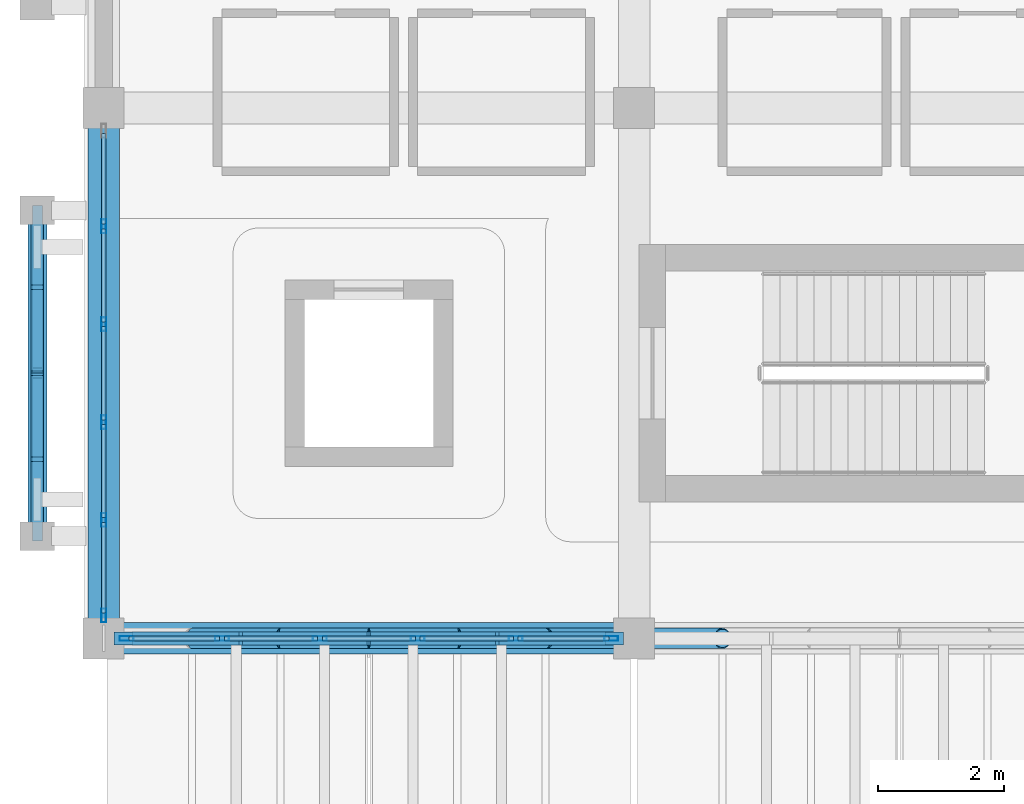
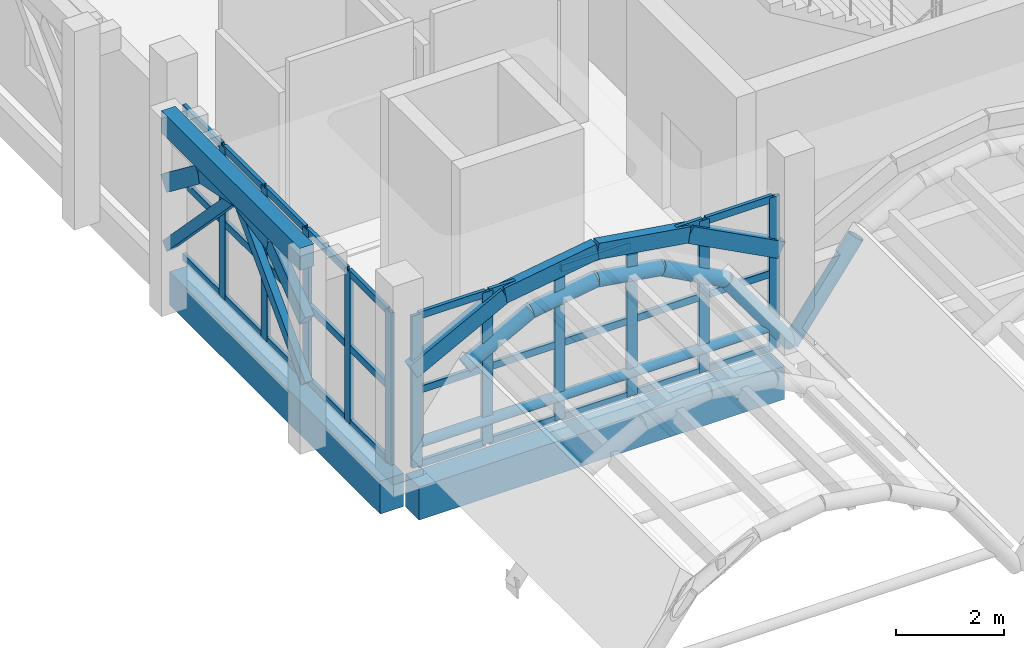
# One storey, part 2 of 22: 51 members, 10 beams, 2 elements without a shape of their own.
"""IFC4 building model written with IfcOpenShell, lengths in metres."""

from ifc_helpers import new_model, si_unit, direction, frame, origin, origin_2d, place, context, subcontext, project, spatial, rectangle, hollow_rectangle, hollow_circle, extrude, material, layer, layer_set, material_profile, profile_set, type_object, element, aggregate, save


model = new_model("IFC4")

# Units and contexts
model_context = context("Model", 3, precision=1e-05, world=origin(), true_north=direction((0.0, 1.0)))
body_context = subcontext(model_context, "Body", "Model", "MODEL_VIEW")
ifc_project = project(units=[si_unit("LENGTHUNIT", "METRE"), si_unit("AREAUNIT", "SQUARE_METRE"), si_unit("VOLUMEUNIT", "CUBIC_METRE"), si_unit("PLANEANGLEUNIT", "RADIAN"), si_unit("MASSUNIT", "GRAM", prefix="KILO")], contexts=[model_context])

# Site, building, storey
site_placement = place(None, origin())
site = spatial("IfcSite", under=ifc_project, at=site_placement, CompositionType="ELEMENT")
building_placement = place(site_placement, origin())
building = spatial("IfcBuilding", under=site, at=building_placement, Name="Xazarin Passage Department Store", CompositionType="ELEMENT")
storey_placement = place(building_placement, frame((0.0, 0.0, 27.89990234375)))
storey = spatial("IfcBuildingStorey", under=building, at=storey_placement, Name="L06", CompositionType="ELEMENT", Elevation=27.89990234375)

# Curtain wall, members
ifc_material_1 = material(Name="Bronze anodised aluminium", Category="aluminium")
ifc_layer = layer(ifc_material_1, 0.199951171875)
ifc_layer_set = layer_set([ifc_layer], Name="Bronze anodised aluminium")
curtain_wall_type = type_object("IfcCurtainWallType", Name="ARC-CW-VIT2", PredefinedType="NOTDEFINED", material=ifc_layer_set)
curtain_wall_1_placement = place(storey_placement, origin())
curtain_wall_1 = element("IfcCurtainWall", 1, at=curtain_wall_1_placement, inside=storey, type_object=curtain_wall_type, Name="L06 V1 Curtain Wall 085", PredefinedType="NOTDEFINED")
ifc_material_profile_1 = material_profile(ifc_material_1, hollow_rectangle(XDim=0.074951171875, YDim=0.219970703125, WallThickness=0.0048828125, at=origin_2d()), Name="ALU 75x220")
ifc_profile_set_1 = profile_set([ifc_material_profile_1], Name="Bronze anodised aluminium")
member_type_1 = type_object("IfcMemberType", Name="ARC-CWM-75x220", PredefinedType="MULLION", material=ifc_profile_set_1)
member_1_placement = place(storey_placement, frame((0.362548828125, 76.39990234375, 0.0), z_axis=(0.0, 0.0, 1.0), x_axis=(0.0, 1.0, 0.0)))
member_1 = element("IfcMember", 2, at=member_1_placement, type_object=member_type_1, Name="CW2 mullion 1", PredefinedType="MULLION", context=body_context, shape_type="SweptSolid", body=[
    extrude(hollow_rectangle(XDim=0.074951171875, YDim=0.219970703125, WallThickness=0.0048828125, at=origin_2d()), origin(), (0.0, 0.0, 1.0), 3.4501953125),
])
member_2_placement = place(storey_placement, frame((1.875, 76.39990234375, 0.0), z_axis=(0.0, 0.0, 1.0), x_axis=(0.0, 1.0, 0.0)))
member_2 = element("IfcMember", 3, at=member_2_placement, type_object=member_type_1, Name="CW2 mullion 2", PredefinedType="MULLION", context=body_context, shape_type="SweptSolid", body=[
    extrude(hollow_rectangle(XDim=0.074951171875, YDim=0.219970703125, WallThickness=0.0048828125, at=origin_2d()), origin(), (0.0, 0.0, 1.0), 3.4501953125),
])
member_3_placement = place(storey_placement, frame((3.425048828125, 76.39990234375, 0.0), z_axis=(0.0, 0.0, 1.0), x_axis=(0.0, 1.0, 0.0)))
member_3 = element("IfcMember", 4, at=member_3_placement, type_object=member_type_1, Name="CW2 mullion 3", PredefinedType="MULLION", context=body_context, shape_type="SweptSolid", body=[
    extrude(hollow_rectangle(XDim=0.074951171875, YDim=0.219970703125, WallThickness=0.0048828125, at=origin_2d()), origin(), (0.0, 0.0, 1.0), 3.4501953125),
])
member_4_placement = place(storey_placement, frame((4.97509765625, 76.39990234375, 0.0), z_axis=(0.0, 0.0, 1.0), x_axis=(0.0, 1.0, 0.0)))
member_4 = element("IfcMember", 5, at=member_4_placement, type_object=member_type_1, Name="CW2 mullion 4", PredefinedType="MULLION", context=body_context, shape_type="SweptSolid", body=[
    extrude(hollow_rectangle(XDim=0.074951171875, YDim=0.219970703125, WallThickness=0.0048828125, at=origin_2d()), origin(), (0.0, 0.0, 1.0), 3.4501953125),
])
member_5_placement = place(storey_placement, frame((6.52490234375, 76.39990234375, 0.0), z_axis=(0.0, 0.0, 1.0), x_axis=(0.0, 1.0, 0.0)))
member_5 = element("IfcMember", 6, at=member_5_placement, type_object=member_type_1, Name="CW2 mullion 5", PredefinedType="MULLION", context=body_context, shape_type="SweptSolid", body=[
    extrude(hollow_rectangle(XDim=0.074951171875, YDim=0.219970703125, WallThickness=0.0048828125, at=origin_2d()), origin(), (0.0, 0.0, 1.0), 3.4501953125),
])
member_6_placement = place(storey_placement, frame((8.03759765625, 76.39990234375, 0.0), z_axis=(0.0, 0.0, 1.0), x_axis=(0.0, 1.0, 0.0)))
member_6 = element("IfcMember", 7, at=member_6_placement, type_object=member_type_1, Name="CW2 mullion 6", PredefinedType="MULLION", context=body_context, shape_type="SweptSolid", body=[
    extrude(hollow_rectangle(XDim=0.074951171875, YDim=0.219970703125, WallThickness=0.0048828125, at=origin_2d()), origin(), (0.0, 0.0, 1.0), 3.4501953125),
])

curtain_wall_2_placement = place(storey_placement, origin())
curtain_wall_2 = element("IfcCurtainWall", 8, at=curtain_wall_2_placement, inside=storey, type_object=curtain_wall_type, Name="L06 V1 Curtain Wall 089", PredefinedType="NOTDEFINED")
member_7_placement = place(storey_placement, frame((0.0, 76.762451171875, 0.0), z_axis=(0.0, 0.0, 1.0), x_axis=(-1.0, 0.0, 0.0)))
member_7 = element("IfcMember", 9, at=member_7_placement, type_object=member_type_1, Name="CW2 mullion 1", PredefinedType="MULLION", context=body_context, shape_type="SweptSolid", body=[
    extrude(hollow_rectangle(XDim=0.074951171875, YDim=0.219970703125, WallThickness=0.0048828125, at=origin_2d()), origin(), (0.0, 0.0, 1.0), 3.4501953125),
])
member_8_placement = place(storey_placement, frame((0.0, 78.27490234375, 0.0), z_axis=(0.0, 0.0, 1.0), x_axis=(-1.0, 0.0, 0.0)))
member_8 = element("IfcMember", 10, at=member_8_placement, type_object=member_type_1, Name="CW2 mullion 2", PredefinedType="MULLION", context=body_context, shape_type="SweptSolid", body=[
    extrude(hollow_rectangle(XDim=0.074951171875, YDim=0.219970703125, WallThickness=0.0048828125, at=origin_2d()), origin(), (0.0, 0.0, 1.0), 3.4501953125),
])
member_9_placement = place(storey_placement, frame((0.0, 79.824951171875, 0.0), z_axis=(0.0, 0.0, 1.0), x_axis=(-1.0, 0.0, 0.0)))
member_9 = element("IfcMember", 11, at=member_9_placement, type_object=member_type_1, Name="CW2 mullion 3", PredefinedType="MULLION", context=body_context, shape_type="SweptSolid", body=[
    extrude(hollow_rectangle(XDim=0.074951171875, YDim=0.219970703125, WallThickness=0.0048828125, at=origin_2d()), origin(), (0.0, 0.0, 1.0), 3.4501953125),
])
member_10_placement = place(storey_placement, frame((0.0, 81.375, 0.0), z_axis=(0.0, 0.0, 1.0), x_axis=(-1.0, 0.0, 0.0)))
member_10 = element("IfcMember", 12, at=member_10_placement, type_object=member_type_1, Name="CW2 mullion 4", PredefinedType="MULLION", context=body_context, shape_type="SweptSolid", body=[
    extrude(hollow_rectangle(XDim=0.074951171875, YDim=0.219970703125, WallThickness=0.0048828125, at=origin_2d()), origin(), (0.0, 0.0, 1.0), 3.4501953125),
])
member_11_placement = place(storey_placement, frame((0.0, 82.925048828125, 0.0), z_axis=(0.0, 0.0, 1.0), x_axis=(-1.0, 0.0, 0.0)))
member_11 = element("IfcMember", 13, at=member_11_placement, type_object=member_type_1, Name="CW2 mullion 5", PredefinedType="MULLION", context=body_context, shape_type="SweptSolid", body=[
    extrude(hollow_rectangle(XDim=0.074951171875, YDim=0.219970703125, WallThickness=0.0048828125, at=origin_2d()), origin(), (0.0, 0.0, 1.0), 3.4501953125),
])

# Member
ifc_material_profile_2 = material_profile(ifc_material_1, hollow_rectangle(XDim=0.074951171875, YDim=0.159912109375, WallThickness=0.00439453125, at=origin_2d()), Name="ALU 75x160")
ifc_profile_set_2 = profile_set([ifc_material_profile_2], Name="Bronze anodised aluminium")
member_type_2 = type_object("IfcMemberType", Name="ARC-CWT-75x160", PredefinedType="USERDEFINED", material=ifc_profile_set_2)
member_12_placement = place(storey_placement, frame((0.39990234375, 76.39990234375, 0.03759765625), z_axis=(1.0, 0.0, 0.0), x_axis=(0.0, 1.0, 0.0)))
member_12 = element("IfcMember", 14, at=member_12_placement, type_object=member_type_2, Name="CW2 transom 1.1", ObjectType="TRANSOM", PredefinedType="USERDEFINED", context=body_context, shape_type="SweptSolid", body=[
    extrude(hollow_rectangle(XDim=0.074951171875, YDim=0.159912109375, WallThickness=0.00439453125, at=origin_2d()), origin(), (0.0, 0.0, 1.0), 1.4375),
])

member_13_placement = place(storey_placement, frame((0.39990234375, 76.39990234375, 1.72509765625), z_axis=(1.0, 0.0, 0.0), x_axis=(0.0, 1.0, 0.0)))
member_13 = element("IfcMember", 15, at=member_13_placement, type_object=member_type_2, Name="CW2 transom 1.2", ObjectType="TRANSOM", PredefinedType="USERDEFINED", context=body_context, shape_type="SweptSolid", body=[
    extrude(hollow_rectangle(XDim=0.074951171875, YDim=0.159912109375, WallThickness=0.00439453125, at=origin_2d()), origin(), (0.0, 0.0, 1.0), 1.4375),
])

member_14_placement = place(storey_placement, frame((0.39990234375, 76.39990234375, 3.41259765625), z_axis=(1.0, 0.0, 0.0), x_axis=(0.0, 1.0, 0.0)))
member_14 = element("IfcMember", 16, at=member_14_placement, type_object=member_type_2, Name="CW2 transom 1.3", ObjectType="TRANSOM", PredefinedType="USERDEFINED", context=body_context, shape_type="SweptSolid", body=[
    extrude(hollow_rectangle(XDim=0.074951171875, YDim=0.159912109375, WallThickness=0.00439453125, at=origin_2d()), origin(), (0.0, 0.0, 1.0), 1.4375),
])

member_15_placement = place(storey_placement, frame((1.91259765625, 76.39990234375, 0.03759765625), z_axis=(1.0, 0.0, 0.0), x_axis=(0.0, 1.0, 0.0)))
member_15 = element("IfcMember", 17, at=member_15_placement, type_object=member_type_2, Name="CW2 transom 2.1", ObjectType="TRANSOM", PredefinedType="USERDEFINED", context=body_context, shape_type="SweptSolid", body=[
    extrude(hollow_rectangle(XDim=0.074951171875, YDim=0.159912109375, WallThickness=0.00439453125, at=origin_2d()), origin(), (0.0, 0.0, 1.0), 1.474853515625),
])

member_16_placement = place(storey_placement, frame((1.91259765625, 76.39990234375, 1.72509765625), z_axis=(1.0, 0.0, 0.0), x_axis=(0.0, 1.0, 0.0)))
member_16 = element("IfcMember", 18, at=member_16_placement, type_object=member_type_2, Name="CW2 transom 2.2", ObjectType="TRANSOM", PredefinedType="USERDEFINED", context=body_context, shape_type="SweptSolid", body=[
    extrude(hollow_rectangle(XDim=0.074951171875, YDim=0.159912109375, WallThickness=0.00439453125, at=origin_2d()), origin(), (0.0, 0.0, 1.0), 1.474853515625),
])

member_17_placement = place(storey_placement, frame((1.91259765625, 76.39990234375, 3.41259765625), z_axis=(1.0, 0.0, 0.0), x_axis=(0.0, 1.0, 0.0)))
member_17 = element("IfcMember", 19, at=member_17_placement, type_object=member_type_2, Name="CW2 transom 2.3", ObjectType="TRANSOM", PredefinedType="USERDEFINED", context=body_context, shape_type="SweptSolid", body=[
    extrude(hollow_rectangle(XDim=0.074951171875, YDim=0.159912109375, WallThickness=0.00439453125, at=origin_2d()), origin(), (0.0, 0.0, 1.0), 1.474853515625),
])

member_18_placement = place(storey_placement, frame((3.46240234375, 76.39990234375, 0.03759765625), z_axis=(1.0, 0.0, 0.0), x_axis=(0.0, 1.0, 0.0)))
member_18 = element("IfcMember", 20, at=member_18_placement, type_object=member_type_2, Name="CW2 transom 3.1", ObjectType="TRANSOM", PredefinedType="USERDEFINED", context=body_context, shape_type="SweptSolid", body=[
    extrude(hollow_rectangle(XDim=0.074951171875, YDim=0.159912109375, WallThickness=0.00439453125, at=origin_2d()), origin(), (0.0, 0.0, 1.0), 1.47509765625),
])

member_19_placement = place(storey_placement, frame((3.46240234375, 76.39990234375, 1.72509765625), z_axis=(1.0, 0.0, 0.0), x_axis=(0.0, 1.0, 0.0)))
member_19 = element("IfcMember", 21, at=member_19_placement, type_object=member_type_2, Name="CW2 transom 3.2", ObjectType="TRANSOM", PredefinedType="USERDEFINED", context=body_context, shape_type="SweptSolid", body=[
    extrude(hollow_rectangle(XDim=0.074951171875, YDim=0.159912109375, WallThickness=0.00439453125, at=origin_2d()), origin(), (0.0, 0.0, 1.0), 1.47509765625),
])

member_20_placement = place(storey_placement, frame((3.46240234375, 76.39990234375, 3.41259765625), z_axis=(1.0, 0.0, 0.0), x_axis=(0.0, 1.0, 0.0)))
member_20 = element("IfcMember", 22, at=member_20_placement, type_object=member_type_2, Name="CW2 transom 3.3", ObjectType="TRANSOM", PredefinedType="USERDEFINED", context=body_context, shape_type="SweptSolid", body=[
    extrude(hollow_rectangle(XDim=0.074951171875, YDim=0.159912109375, WallThickness=0.00439453125, at=origin_2d()), origin(), (0.0, 0.0, 1.0), 1.47509765625),
])

member_21_placement = place(storey_placement, frame((5.012451171875, 76.39990234375, 0.03759765625), z_axis=(1.0, 0.0, 0.0), x_axis=(0.0, 1.0, 0.0)))
member_21 = element("IfcMember", 23, at=member_21_placement, type_object=member_type_2, Name="CW2 transom 4.1", ObjectType="TRANSOM", PredefinedType="USERDEFINED", context=body_context, shape_type="SweptSolid", body=[
    extrude(hollow_rectangle(XDim=0.074951171875, YDim=0.159912109375, WallThickness=0.00439453125, at=origin_2d()), origin(), (0.0, 0.0, 1.0), 1.47509765625),
])

member_22_placement = place(storey_placement, frame((5.012451171875, 76.39990234375, 1.72509765625), z_axis=(1.0, 0.0, 0.0), x_axis=(0.0, 1.0, 0.0)))
member_22 = element("IfcMember", 24, at=member_22_placement, type_object=member_type_2, Name="CW2 transom 4.2", ObjectType="TRANSOM", PredefinedType="USERDEFINED", context=body_context, shape_type="SweptSolid", body=[
    extrude(hollow_rectangle(XDim=0.074951171875, YDim=0.159912109375, WallThickness=0.00439453125, at=origin_2d()), origin(), (0.0, 0.0, 1.0), 1.47509765625),
])

member_23_placement = place(storey_placement, frame((5.012451171875, 76.39990234375, 3.41259765625), z_axis=(1.0, 0.0, 0.0), x_axis=(0.0, 1.0, 0.0)))
member_23 = element("IfcMember", 25, at=member_23_placement, type_object=member_type_2, Name="CW2 transom 4.3", ObjectType="TRANSOM", PredefinedType="USERDEFINED", context=body_context, shape_type="SweptSolid", body=[
    extrude(hollow_rectangle(XDim=0.074951171875, YDim=0.159912109375, WallThickness=0.00439453125, at=origin_2d()), origin(), (0.0, 0.0, 1.0), 1.47509765625),
])

member_24_placement = place(storey_placement, frame((6.5625, 76.39990234375, 0.03759765625), z_axis=(1.0, 0.0, 0.0), x_axis=(0.0, 1.0, 0.0)))
member_24 = element("IfcMember", 26, at=member_24_placement, type_object=member_type_2, Name="CW2 transom 5.1", ObjectType="TRANSOM", PredefinedType="USERDEFINED", context=body_context, shape_type="SweptSolid", body=[
    extrude(hollow_rectangle(XDim=0.074951171875, YDim=0.159912109375, WallThickness=0.00439453125, at=origin_2d()), origin(), (0.0, 0.0, 1.0), 1.4375),
])

member_25_placement = place(storey_placement, frame((6.5625, 76.39990234375, 1.72509765625), z_axis=(1.0, 0.0, 0.0), x_axis=(0.0, 1.0, 0.0)))
member_25 = element("IfcMember", 27, at=member_25_placement, type_object=member_type_2, Name="CW2 transom 5.2", ObjectType="TRANSOM", PredefinedType="USERDEFINED", context=body_context, shape_type="SweptSolid", body=[
    extrude(hollow_rectangle(XDim=0.074951171875, YDim=0.159912109375, WallThickness=0.00439453125, at=origin_2d()), origin(), (0.0, 0.0, 1.0), 1.4375),
])

member_26_placement = place(storey_placement, frame((6.5625, 76.39990234375, 3.41259765625), z_axis=(1.0, 0.0, 0.0), x_axis=(0.0, 1.0, 0.0)))
member_26 = element("IfcMember", 28, at=member_26_placement, type_object=member_type_2, Name="CW2 transom 5.3", ObjectType="TRANSOM", PredefinedType="USERDEFINED", context=body_context, shape_type="SweptSolid", body=[
    extrude(hollow_rectangle(XDim=0.074951171875, YDim=0.159912109375, WallThickness=0.00439453125, at=origin_2d()), origin(), (0.0, 0.0, 1.0), 1.4375),
])

aggregate(curtain_wall_1, [member_1, member_2, member_3, member_4, member_5, member_6, member_12, member_13, member_14, member_15, member_16, member_17, member_18, member_19, member_20, member_21, member_22, member_23, member_24, member_25, member_26])

member_27_placement = place(storey_placement, frame((0.0, 76.800048828125, 0.03759765625), z_axis=(0.0, 1.0, 0.0), x_axis=(-1.0, 0.0, 0.0)))
member_27 = element("IfcMember", 29, at=member_27_placement, type_object=member_type_2, Name="CW2 transom 1.1", ObjectType="TRANSOM", PredefinedType="USERDEFINED", context=body_context, shape_type="SweptSolid", body=[
    extrude(hollow_rectangle(XDim=0.074951171875, YDim=0.159912109375, WallThickness=0.00439453125, at=origin_2d()), origin(), (0.0, 0.0, 1.0), 1.4375),
])

member_28_placement = place(storey_placement, frame((0.0, 76.800048828125, 1.72509765625), z_axis=(0.0, 1.0, 0.0), x_axis=(-1.0, 0.0, 0.0)))
member_28 = element("IfcMember", 30, at=member_28_placement, type_object=member_type_2, Name="CW2 transom 1.2", ObjectType="TRANSOM", PredefinedType="USERDEFINED", context=body_context, shape_type="SweptSolid", body=[
    extrude(hollow_rectangle(XDim=0.074951171875, YDim=0.159912109375, WallThickness=0.00439453125, at=origin_2d()), origin(), (0.0, 0.0, 1.0), 1.4375),
])

member_29_placement = place(storey_placement, frame((0.0, 76.800048828125, 3.41259765625), z_axis=(0.0, 1.0, 0.0), x_axis=(-1.0, 0.0, 0.0)))
member_29 = element("IfcMember", 31, at=member_29_placement, type_object=member_type_2, Name="CW2 transom 1.3", ObjectType="TRANSOM", PredefinedType="USERDEFINED", context=body_context, shape_type="SweptSolid", body=[
    extrude(hollow_rectangle(XDim=0.074951171875, YDim=0.159912109375, WallThickness=0.00439453125, at=origin_2d()), origin(), (0.0, 0.0, 1.0), 1.4375),
])

member_30_placement = place(storey_placement, frame((0.0, 78.3125, 0.03759765625), z_axis=(0.0, 1.0, 0.0), x_axis=(-1.0, 0.0, 0.0)))
member_30 = element("IfcMember", 32, at=member_30_placement, type_object=member_type_2, Name="CW2 transom 2.1", ObjectType="TRANSOM", PredefinedType="USERDEFINED", context=body_context, shape_type="SweptSolid", body=[
    extrude(hollow_rectangle(XDim=0.074951171875, YDim=0.159912109375, WallThickness=0.00439453125, at=origin_2d()), origin(), (0.0, 0.0, 1.0), 1.47509765625),
])

member_31_placement = place(storey_placement, frame((0.0, 78.3125, 1.72509765625), z_axis=(0.0, 1.0, 0.0), x_axis=(-1.0, 0.0, 0.0)))
member_31 = element("IfcMember", 33, at=member_31_placement, type_object=member_type_2, Name="CW2 transom 2.2", ObjectType="TRANSOM", PredefinedType="USERDEFINED", context=body_context, shape_type="SweptSolid", body=[
    extrude(hollow_rectangle(XDim=0.074951171875, YDim=0.159912109375, WallThickness=0.00439453125, at=origin_2d()), origin(), (0.0, 0.0, 1.0), 1.47509765625),
])

member_32_placement = place(storey_placement, frame((0.0, 78.3125, 3.41259765625), z_axis=(0.0, 1.0, 0.0), x_axis=(-1.0, 0.0, 0.0)))
member_32 = element("IfcMember", 34, at=member_32_placement, type_object=member_type_2, Name="CW2 transom 2.3", ObjectType="TRANSOM", PredefinedType="USERDEFINED", context=body_context, shape_type="SweptSolid", body=[
    extrude(hollow_rectangle(XDim=0.074951171875, YDim=0.159912109375, WallThickness=0.00439453125, at=origin_2d()), origin(), (0.0, 0.0, 1.0), 1.47509765625),
])

member_33_placement = place(storey_placement, frame((0.0, 79.862548828125, 0.03759765625), z_axis=(0.0, 1.0, 0.0), x_axis=(-1.0, 0.0, 0.0)))
member_33 = element("IfcMember", 35, at=member_33_placement, type_object=member_type_2, Name="CW2 transom 3.1", ObjectType="TRANSOM", PredefinedType="USERDEFINED", context=body_context, shape_type="SweptSolid", body=[
    extrude(hollow_rectangle(XDim=0.074951171875, YDim=0.159912109375, WallThickness=0.00439453125, at=origin_2d()), origin(), (0.0, 0.0, 1.0), 1.474853515625),
])

member_34_placement = place(storey_placement, frame((0.0, 79.862548828125, 1.72509765625), z_axis=(0.0, 1.0, 0.0), x_axis=(-1.0, 0.0, 0.0)))
member_34 = element("IfcMember", 36, at=member_34_placement, type_object=member_type_2, Name="CW2 transom 3.2", ObjectType="TRANSOM", PredefinedType="USERDEFINED", context=body_context, shape_type="SweptSolid", body=[
    extrude(hollow_rectangle(XDim=0.074951171875, YDim=0.159912109375, WallThickness=0.00439453125, at=origin_2d()), origin(), (0.0, 0.0, 1.0), 1.474853515625),
])

member_35_placement = place(storey_placement, frame((0.0, 79.862548828125, 3.41259765625), z_axis=(0.0, 1.0, 0.0), x_axis=(-1.0, 0.0, 0.0)))
member_35 = element("IfcMember", 37, at=member_35_placement, type_object=member_type_2, Name="CW2 transom 3.3", ObjectType="TRANSOM", PredefinedType="USERDEFINED", context=body_context, shape_type="SweptSolid", body=[
    extrude(hollow_rectangle(XDim=0.074951171875, YDim=0.159912109375, WallThickness=0.00439453125, at=origin_2d()), origin(), (0.0, 0.0, 1.0), 1.474853515625),
])

member_36_placement = place(storey_placement, frame((0.0, 81.41259765625, 0.03759765625), z_axis=(0.0, 1.0, 0.0), x_axis=(-1.0, 0.0, 0.0)))
member_36 = element("IfcMember", 38, at=member_36_placement, type_object=member_type_2, Name="CW2 transom 4.1", ObjectType="TRANSOM", PredefinedType="USERDEFINED", context=body_context, shape_type="SweptSolid", body=[
    extrude(hollow_rectangle(XDim=0.074951171875, YDim=0.159912109375, WallThickness=0.00439453125, at=origin_2d()), origin(), (0.0, 0.0, 1.0), 1.474853515625),
])

member_37_placement = place(storey_placement, frame((0.0, 81.41259765625, 1.72509765625), z_axis=(0.0, 1.0, 0.0), x_axis=(-1.0, 0.0, 0.0)))
member_37 = element("IfcMember", 39, at=member_37_placement, type_object=member_type_2, Name="CW2 transom 4.2", ObjectType="TRANSOM", PredefinedType="USERDEFINED", context=body_context, shape_type="SweptSolid", body=[
    extrude(hollow_rectangle(XDim=0.074951171875, YDim=0.159912109375, WallThickness=0.00439453125, at=origin_2d()), origin(), (0.0, 0.0, 1.0), 1.474853515625),
])

member_38_placement = place(storey_placement, frame((0.0, 81.41259765625, 3.41259765625), z_axis=(0.0, 1.0, 0.0), x_axis=(-1.0, 0.0, 0.0)))
member_38 = element("IfcMember", 40, at=member_38_placement, type_object=member_type_2, Name="CW2 transom 4.3", ObjectType="TRANSOM", PredefinedType="USERDEFINED", context=body_context, shape_type="SweptSolid", body=[
    extrude(hollow_rectangle(XDim=0.074951171875, YDim=0.159912109375, WallThickness=0.00439453125, at=origin_2d()), origin(), (0.0, 0.0, 1.0), 1.474853515625),
])

member_39_placement = place(storey_placement, frame((0.0, 82.96240234375, 0.03759765625), z_axis=(0.0, 1.0, 0.0), x_axis=(-1.0, 0.0, 0.0)))
member_39 = element("IfcMember", 41, at=member_39_placement, type_object=member_type_2, Name="CW2 transom 5.1", ObjectType="TRANSOM", PredefinedType="USERDEFINED", context=body_context, shape_type="SweptSolid", body=[
    extrude(hollow_rectangle(XDim=0.074951171875, YDim=0.159912109375, WallThickness=0.00439453125, at=origin_2d()), origin(), (0.0, 0.0, 1.0), 1.4375),
])

member_40_placement = place(storey_placement, frame((0.0, 82.96240234375, 1.72509765625), z_axis=(0.0, 1.0, 0.0), x_axis=(-1.0, 0.0, 0.0)))
member_40 = element("IfcMember", 42, at=member_40_placement, type_object=member_type_2, Name="CW2 transom 5.2", ObjectType="TRANSOM", PredefinedType="USERDEFINED", context=body_context, shape_type="SweptSolid", body=[
    extrude(hollow_rectangle(XDim=0.074951171875, YDim=0.159912109375, WallThickness=0.00439453125, at=origin_2d()), origin(), (0.0, 0.0, 1.0), 1.4375),
])

member_41_placement = place(storey_placement, frame((0.0, 82.96240234375, 3.41259765625), z_axis=(0.0, 1.0, 0.0), x_axis=(-1.0, 0.0, 0.0)))
member_41 = element("IfcMember", 43, at=member_41_placement, type_object=member_type_2, Name="CW2 transom 5.3", ObjectType="TRANSOM", PredefinedType="USERDEFINED", context=body_context, shape_type="SweptSolid", body=[
    extrude(hollow_rectangle(XDim=0.074951171875, YDim=0.159912109375, WallThickness=0.00439453125, at=origin_2d()), origin(), (0.0, 0.0, 1.0), 1.4375),
])

aggregate(curtain_wall_2, [member_7, member_8, member_9, member_10, member_11, member_27, member_28, member_29, member_30, member_31, member_32, member_33, member_34, member_35, member_36, member_37, member_38, member_39, member_40, member_41])

# Beams
ifc_material_2 = material(Name="Steel S355", Category="steel")
ifc_material_profile_3 = material_profile(ifc_material_2, hollow_circle(Radius=0.161865234375, WallThickness=0.01611328125, at=origin_2d()), Name="CHS 323.9x16")
ifc_profile_set_3 = profile_set([ifc_material_profile_3], Name="Steel S355")
beam_type_1 = type_object("IfcBeamType", Name="STR-BM-AR324", PredefinedType="BEAM", material=ifc_profile_set_3)
beam_1_placement = place(storey_placement, frame((1.39990234375, 76.39990234375, 1.92041015625), z_axis=(0.879963126177, 0.0, 0.475041994532), x_axis=(0.0, 1.0, 0.0)))
element("IfcBeam", 44, at=beam_1_placement, inside=storey, type_object=beam_type_1, Name="L06 V1S Curved Shell Arch Rib 1.3.2", PredefinedType="BEAM", context=body_context, shape_type="SweptSolid", body=[
    extrude(hollow_circle(Radius=0.161865234375, WallThickness=0.01611328125, at=origin_2d()), origin(), (0.0, 0.0, 1.0), 1.591064453125),
])
beam_2_placement = place(storey_placement, frame((2.800048828125, 76.39990234375, 2.67626953125), z_axis=(0.987452450124, 0.0, 0.157916619596), x_axis=(0.0, 1.0, 0.0)))
element("IfcBeam", 45, at=beam_2_placement, inside=storey, type_object=beam_type_1, Name="L06 V1S Curved Shell Arch Rib 1.3.3", PredefinedType="BEAM", context=body_context, shape_type="SweptSolid", body=[
    extrude(hollow_circle(Radius=0.161865234375, WallThickness=0.01611328125, at=origin_2d()), origin(), (0.0, 0.0, 1.0), 1.417724609375),
])
beam_3_placement = place(storey_placement, frame((4.199951171875, 76.39990234375, 2.900146484375), z_axis=(0.987456743544, 0.0, -0.157889770502), x_axis=(0.0, 1.0, 0.0)))
element("IfcBeam", 46, at=beam_3_placement, inside=storey, type_object=beam_type_1, Name="L06 V1S Curved Shell Arch Rib 1.3.4", PredefinedType="BEAM", context=body_context, shape_type="SweptSolid", body=[
    extrude(hollow_circle(Radius=0.161865234375, WallThickness=0.01611328125, at=origin_2d()), origin(), (0.0, 0.0, 1.0), 1.41796875),
])
beam_4_placement = place(storey_placement, frame((5.60009765625, 76.39990234375, 2.67626953125), z_axis=(0.879928493742, 0.0, -0.475106141721), x_axis=(0.0, 1.0, 0.0)))
element("IfcBeam", 47, at=beam_4_placement, inside=storey, type_object=beam_type_1, Name="L06 V1S Curved Shell Arch Rib 1.3.5", PredefinedType="BEAM", context=body_context, shape_type="SweptSolid", body=[
    extrude(hollow_circle(Radius=0.161865234375, WallThickness=0.01611328125, at=origin_2d()), origin(), (0.0, 0.0, 1.0), 1.5908203125),
])
beam_5_placement = place(storey_placement, frame((7.0, 76.39990234375, 1.92041015625), z_axis=(0.589063161662, 0.0, -0.808086995053), x_axis=(0.0, 1.0, 0.0)))
element("IfcBeam", 48, at=beam_5_placement, inside=storey, type_object=beam_type_1, Name="L06 V1S Curved Shell Arch Rib 1.3.6", PredefinedType="BEAM", context=body_context, shape_type="SweptSolid", body=[
    extrude(hollow_circle(Radius=0.161865234375, WallThickness=0.01611328125, at=origin_2d()), origin(), (0.0, 0.0, 1.0), 2.37646484375),
])
beam_6_placement = place(storey_placement, frame((8.39990234375, 76.39990234375, 0.0), z_axis=(0.589130239798, 0.0, 0.808038093505), x_axis=(0.0, 1.0, 0.0)))
element("IfcBeam", 49, at=beam_6_placement, inside=storey, type_object=beam_type_1, Name="L06 V1S Curved Shell Arch Rib 2.3.1", PredefinedType="BEAM", context=body_context, shape_type="SweptSolid", body=[
    extrude(hollow_circle(Radius=0.161865234375, WallThickness=0.01611328125, at=origin_2d()), origin(), (0.0, 0.0, 1.0), 2.376708984375),
])
ifc_material_3 = material(Name="Concrete C35/45", Category="concrete")
ifc_material_profile_4 = material_profile(ifc_material_3, rectangle(XDim=0.300048828125, YDim=0.5, at=origin_2d()), Name="RC 300x500")
ifc_profile_set_4 = profile_set([ifc_material_profile_4], Name="Concrete C35/45")
beam_type_2 = type_object("IfcBeamType", Name="STR-BM-LN300x500", PredefinedType="LINTEL", material=ifc_profile_set_4)
beam_7_placement = place(storey_placement, frame((-1.050048828125, 78.02001953125, 4.25), z_axis=(0.0, 1.0, 0.0), x_axis=(-1.0, 0.0, 0.0)))
element("IfcBeam", 50, at=beam_7_placement, inside=storey, type_object=beam_type_2, Name="L06 V1 Colonnade Spandrel Beam 011", PredefinedType="LINTEL", context=body_context, shape_type="SweptSolid", body=[
    extrude(rectangle(XDim=0.300048828125, YDim=0.5, at=origin_2d()), origin(), (0.0, 0.0, 1.0), 5.159912109375),
])
ifc_material_profile_5 = material_profile(ifc_material_3, rectangle(XDim=0.5, YDim=0.75, at=origin_2d()), Name="RC 500x750")
ifc_profile_set_5 = profile_set([ifc_material_profile_5], Name="Concrete C35/45")
beam_type_3 = type_object("IfcBeamType", Name="STR-BM-SP500x750", PredefinedType="SPANDREL", material=ifc_profile_set_5)
for number, where, z_axis, x_axis, name in (
    (51, (0.280029296875, 76.39990234375, -0.6748046875), (1.0, 0.0, 0.0), (0.0, 1.0, 0.0), "L06 Grid Beam L/1-2"),
    (52, (0.0, 76.679931640625, -0.6748046875), (0.0, 1.0, 0.0), (-1.0, 0.0, 0.0), "L06 Grid Beam 1/L-M"),
):
    element("IfcBeam", number, at=place(storey_placement, frame(where, z_axis=z_axis, x_axis=x_axis)), inside=storey, type_object=beam_type_3, Name=name, PredefinedType="SPANDREL", context=body_context, shape_type="SweptSolid", body=[
        extrude(rectangle(XDim=0.5, YDim=0.75, at=origin_2d()), origin(), (0.0, 0.0, 1.0), 7.840087890625),
    ])
ifc_material_profile_6 = material_profile(ifc_material_2, hollow_circle(Radius=0.109619140625, WallThickness=0.012451171875, at=origin_2d()), Name="CHS 219.1x12.5")
ifc_profile_set_6 = profile_set([ifc_material_profile_6], Name="Steel S355")
beam_type_4 = type_object("IfcBeamType", Name="STR-BM-TIE219", PredefinedType="BEAM", material=ifc_profile_set_6)
beam_8_placement = place(storey_placement, frame((0.449951171875, 76.39990234375, 0.52001953125), z_axis=(1.0, 0.0, 0.0), x_axis=(0.0, 1.0, 0.0)))
element("IfcBeam", 53, at=beam_8_placement, inside=storey, type_object=beam_type_4, Name="L06 V1S Barrel Shell Tie 1.3", PredefinedType="BEAM", context=body_context, shape_type="SweptSolid", body=[
    extrude(hollow_circle(Radius=0.109619140625, WallThickness=0.012451171875, at=origin_2d()), origin(), (0.0, 0.0, 1.0), 7.5),
])

# Members
ifc_material_4 = material(Name="Concrete C40/50", Category="concrete")
ifc_material_profile_7 = material_profile(ifc_material_4, rectangle(XDim=0.199951171875, YDim=0.360107421875, at=origin_2d()), Name="RC 200x360")
ifc_profile_set_7 = profile_set([ifc_material_profile_7], Name="Concrete C40/50")
member_type_3 = type_object("IfcMemberType", Name="STR-MEM-ARC360", PredefinedType="CHORD", material=ifc_profile_set_7)
member_42_placement = place(storey_placement, frame((-1.050048828125, 78.02001953125, 2.830078125), z_axis=(0.0, 0.79440903847, 0.607383140692), x_axis=(-1.0, 0.0, 0.0)))
element("IfcMember", 54, at=member_42_placement, inside=storey, type_object=member_type_3, Name="L06 V1 Pierced Lattice Curved Arch 011.1", PredefinedType="CHORD", context=body_context, shape_type="SweptSolid", body=[
    extrude(rectangle(XDim=0.199951171875, YDim=0.360107421875, at=origin_2d()), origin(), (0.0, 0.0, 1.0), 1.623779296875),
])
member_43_placement = place(storey_placement, frame((-1.050048828125, 79.31005859375, 3.81640625), z_axis=(0.0, 0.979744705887, 0.200250621188), x_axis=(-1.0, 0.0, 0.0)))
element("IfcMember", 55, at=member_43_placement, inside=storey, type_object=member_type_3, Name="L06 V1 Pierced Lattice Curved Arch 011.2", PredefinedType="CHORD", context=body_context, shape_type="SweptSolid", body=[
    extrude(rectangle(XDim=0.199951171875, YDim=0.360107421875, at=origin_2d()), origin(), (0.0, 0.0, 1.0), 1.316650390625),
])
member_44_placement = place(storey_placement, frame((-1.050048828125, 80.60009765625, 4.080078125), z_axis=(0.0, 0.979737268571, -0.2002870055), x_axis=(-1.0, 0.0, 0.0)))
element("IfcMember", 56, at=member_44_placement, inside=storey, type_object=member_type_3, Name="L06 V1 Pierced Lattice Curved Arch 011.3", PredefinedType="CHORD", context=body_context, shape_type="SweptSolid", body=[
    extrude(rectangle(XDim=0.199951171875, YDim=0.360107421875, at=origin_2d()), origin(), (0.0, 0.0, 1.0), 1.31640625),
])
member_45_placement = place(storey_placement, frame((-1.050048828125, 81.889892578125, 3.81640625), z_axis=(0.0, 0.79440903847, -0.607383140692), x_axis=(-1.0, 0.0, 0.0)))
element("IfcMember", 57, at=member_45_placement, inside=storey, type_object=member_type_3, Name="L06 V1 Pierced Lattice Curved Arch 011.4", PredefinedType="CHORD", context=body_context, shape_type="SweptSolid", body=[
    extrude(rectangle(XDim=0.199951171875, YDim=0.360107421875, at=origin_2d()), origin(), (0.0, 0.0, 1.0), 1.623779296875),
])
member_46_placement = place(storey_placement, frame((0.25, 76.39990234375, 2.22998046875), z_axis=(0.88473311603, 0.0, 0.466097965454), x_axis=(0.0, 1.0, 0.0)))
element("IfcMember", 58, at=member_46_placement, inside=storey, type_object=member_type_3, Name="L06 V1 Upper Setback Pierced Arch 037.1", PredefinedType="CHORD", context=body_context, shape_type="SweptSolid", body=[
    extrude(rectangle(XDim=0.199951171875, YDim=0.360107421875, at=origin_2d()), origin(), (0.0, 0.0, 1.0), 2.232421875),
])
member_47_placement = place(storey_placement, frame((2.22509765625, 76.39990234375, 3.2705078125), z_axis=(0.987935652704, 0.0, 0.154864928623), x_axis=(0.0, 1.0, 0.0)))
element("IfcMember", 59, at=member_47_placement, inside=storey, type_object=member_type_3, Name="L06 V1 Upper Setback Pierced Arch 037.2", PredefinedType="CHORD", context=body_context, shape_type="SweptSolid", body=[
    extrude(rectangle(XDim=0.199951171875, YDim=0.360107421875, at=origin_2d()), origin(), (0.0, 0.0, 1.0), 1.9990234375),
])
member_48_placement = place(storey_placement, frame((4.199951171875, 76.39990234375, 3.580078125), z_axis=(0.987938581312, 0.0, -0.154846244883), x_axis=(0.0, 1.0, 0.0)))
element("IfcMember", 60, at=member_48_placement, inside=storey, type_object=member_type_3, Name="L06 V1 Upper Setback Pierced Arch 037.3", PredefinedType="CHORD", context=body_context, shape_type="SweptSolid", body=[
    extrude(rectangle(XDim=0.199951171875, YDim=0.360107421875, at=origin_2d()), origin(), (0.0, 0.0, 1.0), 1.999267578125),
])
member_49_placement = place(storey_placement, frame((6.175048828125, 76.39990234375, 3.2705078125), z_axis=(0.884709354127, 0.0, -0.466143066793), x_axis=(0.0, 1.0, 0.0)))
element("IfcMember", 61, at=member_49_placement, inside=storey, type_object=member_type_3, Name="L06 V1 Upper Setback Pierced Arch 037.4", PredefinedType="CHORD", context=body_context, shape_type="SweptSolid", body=[
    extrude(rectangle(XDim=0.199951171875, YDim=0.360107421875, at=origin_2d()), origin(), (0.0, 0.0, 1.0), 2.232177734375),
])
ifc_material_profile_8 = material_profile(ifc_material_4, rectangle(XDim=0.159912109375, YDim=0.219970703125, at=origin_2d()), Name="RC 160x220")
ifc_profile_set_8 = profile_set([ifc_material_profile_8], Name="Concrete C40/50")
member_type_4 = type_object("IfcMemberType", Name="STR-MEM-TRC220", PredefinedType="CHORD", material=ifc_profile_set_8)
for number, where, z_axis, x_axis, name in (
    (62, (-1.050048828125, 80.60009765625, 4.080078125), (0.0, -0.693558444435, -0.720400363793), (1.0, 0.0, 0.0), "L06 V1 Upper Lattice Tracery Arch 011L"),
    (63, (-1.050048828125, 80.60009765625, 4.080078125), (0.0, 0.693524382622, -0.72043315492), (-1.0, 0.0, 0.0), "L06 V1 Upper Lattice Tracery Arch 011R"),
):
    element("IfcMember", number, at=place(storey_placement, frame(where, z_axis=z_axis, x_axis=x_axis)), inside=storey, type_object=member_type_4, Name=name, PredefinedType="CHORD", context=body_context, shape_type="SweptSolid", body=[
        extrude(rectangle(XDim=0.159912109375, YDim=0.219970703125, at=origin_2d()), origin(), (0.0, 0.0, 1.0), 3.719970703125),
    ])

save(model, "model.ifc")
